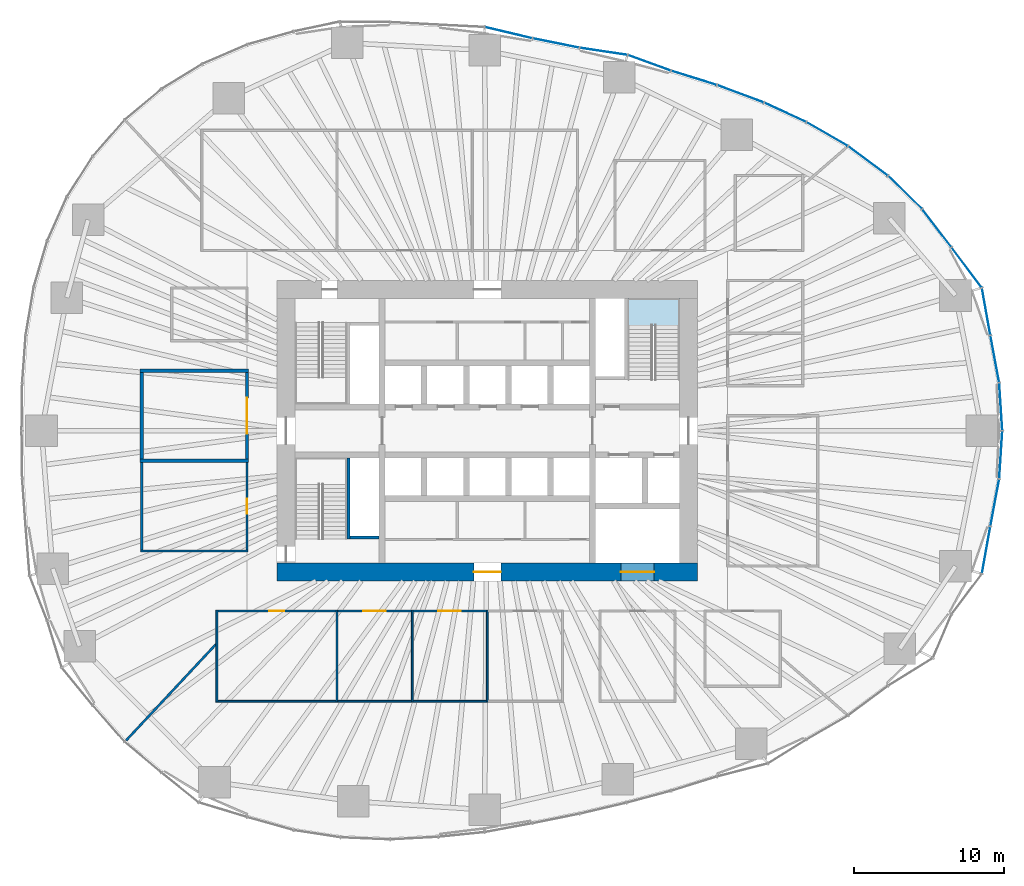
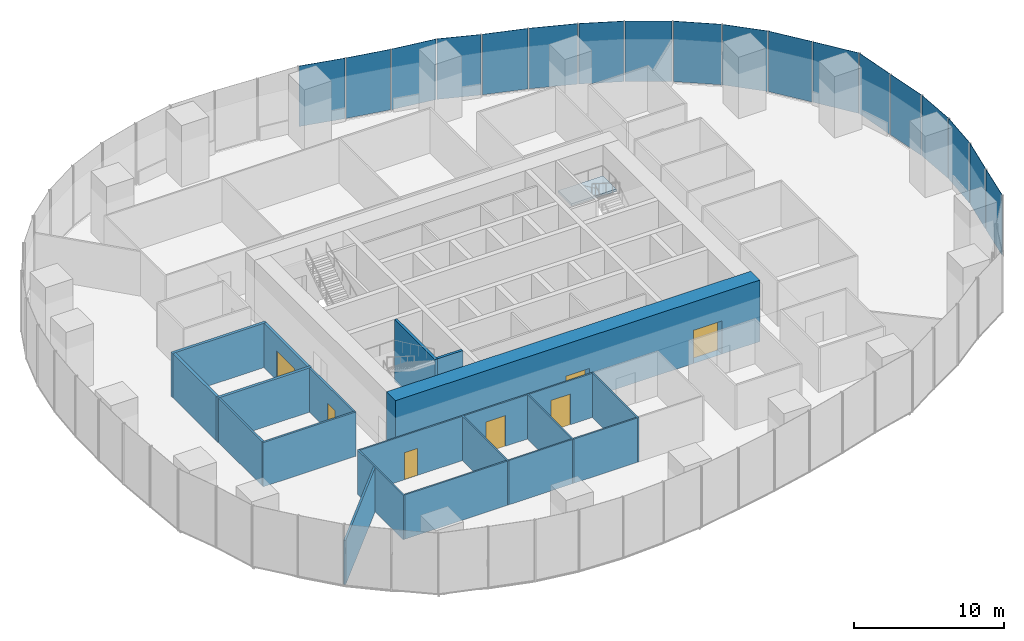
# One storey, part 9 of 20: 21 walls, 18 plates, 7 doors, 1 slab, 7 openings, 7 elements without a shape of their own.
"""IFC4 building model written with IfcOpenShell, lengths in metres."""

from ifc_helpers import new_model, si_unit, direction, frame, frame_2d, origin, origin_2d, place, context, subcontext, project, spatial, polyline, rectangle, outline, extrude, material, layer, layer_set, type_object, element, fill, aggregate, save


model = new_model("IFC4")

# Units and contexts
model_context = context("Model", 3, precision=1e-05, world=origin(), true_north=direction((0.0, 1.0)))
body_context = subcontext(model_context, "Body", "Model", "MODEL_VIEW")
ifc_project = project(units=[si_unit("LENGTHUNIT", "METRE"), si_unit("AREAUNIT", "SQUARE_METRE"), si_unit("VOLUMEUNIT", "CUBIC_METRE"), si_unit("PLANEANGLEUNIT", "RADIAN"), si_unit("MASSUNIT", "GRAM", prefix="KILO")], contexts=[model_context])

# Site, building, storey
site_placement = place(None, origin())
site = spatial("IfcSite", under=ifc_project, at=site_placement, CompositionType="ELEMENT")
building_placement = place(site_placement, origin())
building = spatial("IfcBuilding", under=site, at=building_placement, Name="Ghaith Harvest Tower", CompositionType="ELEMENT")
storey_placement = place(building_placement, frame((0.0, 0.0, 25.0)))
storey = spatial("IfcBuildingStorey", under=building, at=storey_placement, Name="L05", CompositionType="ELEMENT", Elevation=25.0)

# Curtain wall, plates
ifc_material_1 = material(Name="Black anodised aluminium and fritted glass", Category="aluminium")
curtain_wall_type = type_object("IfcCurtainWallType", Name="CW-F CURTAIN WALL", PredefinedType="NOTDEFINED", material=ifc_material_1)
curtain_wall_1_placement = place(storey_placement, origin())
curtain_wall_1 = element("IfcCurtainWall", 1, at=curtain_wall_1_placement, inside=storey, type_object=curtain_wall_type, Name="Curtain wall CW-F bay 01 L05", PredefinedType="NOTDEFINED")
ifc_material_2 = material(Name="Glass, high-transmission fritted double glazed unit", Category="glass")
ifc_layer_1 = layer(ifc_material_2, 0.028076171875)
ifc_layer_set_1 = layer_set([ifc_layer_1], Name="CW-F VISION PANEL")
plate_type = type_object("IfcPlateType", Name="CW-F VISION PANEL", PredefinedType="CURTAIN_PANEL", material=ifc_layer_set_1)
plate_1_placement = place(storey_placement, frame((34.181396484375, 1.602783203125, 0.080078125), z_axis=(0.0, 0.0, 1.0), x_axis=(-0.064445645786, 0.997921218704, 0.0)))
plate_1 = element("IfcPlate", 2, at=plate_1_placement, type_object=plate_type, Name="CW-F panel 1 bay 01 L05", PredefinedType="CURTAIN_PANEL", context=body_context, shape_type="SweptSolid", body=[
    extrude(rectangle(XDim=3.132080078125, YDim=0.028076171875, at=origin_2d()), origin(), (0.0, 0.0, 1.0), 4.919921875),
])
plate_2_placement = place(storey_placement, frame((33.78369140625, 4.78076171875, 0.080078125), z_axis=(0.0, 0.0, 1.0), x_axis=(-0.183569249502, 0.983006780565, 0.0)))
plate_2 = element("IfcPlate", 3, at=plate_2_placement, type_object=plate_type, Name="CW-F panel 2 bay 01 L05", PredefinedType="CURTAIN_PANEL", context=body_context, shape_type="SweptSolid", body=[
    extrude(rectangle(XDim=3.12548828125, YDim=0.028076171875, at=origin_2d()), origin(), (0.0, 0.0, 1.0), 4.919921875),
])
plate_3_placement = place(storey_placement, frame((33.20654296875, 7.93603515625, 0.080078125), z_axis=(0.0, 0.0, 1.0), x_axis=(-0.176319663586, 0.984332960046, 0.0)))
plate_3 = element("IfcPlate", 4, at=plate_3_placement, type_object=plate_type, Name="CW-F panel 3 bay 01 L05", PredefinedType="CURTAIN_PANEL", context=body_context, shape_type="SweptSolid", body=[
    extrude(rectangle(XDim=3.129638671875, YDim=0.028076171875, at=origin_2d()), origin(), (0.0, 0.0, 1.0), 4.919921875),
])
aggregate(curtain_wall_1, [plate_1, plate_2, plate_3])

curtain_wall_2_placement = place(storey_placement, origin())
curtain_wall_2 = element("IfcCurtainWall", 5, at=curtain_wall_2_placement, inside=storey, type_object=curtain_wall_type, Name="Curtain wall CW-F bay 02 L05", PredefinedType="NOTDEFINED")
plate_4_placement = place(storey_placement, frame((31.91015625, 10.865234375, 0.080078125), z_axis=(0.0, 0.0, 1.0), x_axis=(-0.600454091192, 0.799659230154, 0.0)))
plate_4 = element("IfcPlate", 6, at=plate_4_placement, type_object=plate_type, Name="CW-F panel 1 bay 02 L05", PredefinedType="CURTAIN_PANEL", context=body_context, shape_type="SweptSolid", body=[
    extrude(rectangle(XDim=3.295654296875, YDim=0.028076171875, at=origin_2d()), origin(), (0.0, 0.0, 1.0), 4.919921875),
])
plate_5_placement = place(storey_placement, frame((29.921875, 13.4892578125, 0.080078125), z_axis=(0.0, 0.0, 1.0), x_axis=(-0.607611877494, 0.794234100457, 0.0)))
plate_5 = element("IfcPlate", 7, at=plate_5_placement, type_object=plate_type, Name="CW-F panel 2 bay 02 L05", PredefinedType="CURTAIN_PANEL", context=body_context, shape_type="SweptSolid", body=[
    extrude(rectangle(XDim=3.128662109375, YDim=0.028076171875, at=origin_2d()), origin(), (0.0, 0.0, 1.0), 4.919921875),
])
plate_6_placement = place(storey_placement, frame((27.810546875, 15.869384765625, 0.080078125), z_axis=(0.0, 0.0, 1.0), x_axis=(-0.716691335472, 0.69739051446, 0.0)))
plate_6 = element("IfcPlate", 8, at=plate_6_placement, type_object=plate_type, Name="CW-F panel 3 bay 02 L05", PredefinedType="CURTAIN_PANEL", context=body_context, shape_type="SweptSolid", body=[
    extrude(rectangle(XDim=3.092041015625, YDim=0.028076171875, at=origin_2d()), origin(), (0.0, 0.0, 1.0), 4.919921875),
])
aggregate(curtain_wall_2, [plate_4, plate_5, plate_6])

curtain_wall_3_placement = place(storey_placement, origin())
curtain_wall_3 = element("IfcCurtainWall", 9, at=curtain_wall_3_placement, inside=storey, type_object=curtain_wall_type, Name="Curtain wall CW-F bay 03 L05", PredefinedType="NOTDEFINED")
plate_7_placement = place(storey_placement, frame((25.34619140625, 17.96142578125, 0.080078125), z_axis=(0.0, 0.0, 1.0), x_axis=(-0.802866788578, 0.596158468697, 0.0)))
plate_7 = element("IfcPlate", 10, at=plate_7_placement, type_object=plate_type, Name="CW-F panel 1 bay 03 L05", PredefinedType="CURTAIN_PANEL", context=body_context, shape_type="SweptSolid", body=[
    extrude(rectangle(XDim=3.2275390625, YDim=0.028076171875, at=origin_2d()), origin(), (0.0, 0.0, 1.0), 4.919921875),
])
plate_8_placement = place(storey_placement, frame((22.626953125, 19.750244140625, 0.080078125), z_axis=(0.0, 0.0, 1.0), x_axis=(-0.866159208358, 0.499768172033, 0.0)))
plate_8 = element("IfcPlate", 11, at=plate_8_placement, type_object=plate_type, Name="CW-F panel 2 bay 03 L05", PredefinedType="CURTAIN_PANEL", context=body_context, shape_type="SweptSolid", body=[
    extrude(rectangle(XDim=3.1328125, YDim=0.028076171875, at=origin_2d()), origin(), (0.0, 0.0, 1.0), 4.919921875),
])
plate_9_placement = place(storey_placement, frame((19.8291015625, 21.19970703125, 0.080078125), z_axis=(0.0, 0.0, 1.0), x_axis=(-0.908529586897, 0.417820523351, 0.0)))
plate_9 = element("IfcPlate", 12, at=plate_9_placement, type_object=plate_type, Name="CW-F panel 3 bay 03 L05", PredefinedType="CURTAIN_PANEL", context=body_context, shape_type="SweptSolid", body=[
    extrude(rectangle(XDim=3.01611328125, YDim=0.028076171875, at=origin_2d()), origin(), (0.0, 0.0, 1.0), 4.919921875),
])
aggregate(curtain_wall_3, [plate_7, plate_8, plate_9])

curtain_wall_4_placement = place(storey_placement, origin())
curtain_wall_4 = element("IfcCurtainWall", 13, at=curtain_wall_4_placement, inside=storey, type_object=curtain_wall_type, Name="Curtain wall CW-F bay 04 L05", PredefinedType="NOTDEFINED")
plate_10_placement = place(storey_placement, frame((16.85498046875, 22.431396484375, 0.080078125), z_axis=(0.0, 0.0, 1.0), x_axis=(-0.936926487964, 0.349526474178, 0.0)))
plate_10 = element("IfcPlate", 14, at=plate_10_placement, type_object=plate_type, Name="CW-F panel 1 bay 04 L05", PredefinedType="CURTAIN_PANEL", context=body_context, shape_type="SweptSolid", body=[
    extrude(rectangle(XDim=3.26611328125, YDim=0.028076171875, at=origin_2d()), origin(), (0.0, 0.0, 1.0), 4.919921875),
])
plate_11_placement = place(storey_placement, frame((13.760986328125, 23.490234375, 0.080078125), z_axis=(0.0, 0.0, 1.0), x_axis=(-0.954988265421, 0.296643578911, 0.0)))
plate_11 = element("IfcPlate", 15, at=plate_11_placement, type_object=plate_type, Name="CW-F panel 2 bay 04 L05", PredefinedType="CURTAIN_PANEL", context=body_context, shape_type="SweptSolid", body=[
    extrude(rectangle(XDim=3.1171875, YDim=0.028076171875, at=origin_2d()), origin(), (0.0, 0.0, 1.0), 4.919921875),
])
plate_12_placement = place(storey_placement, frame((10.793212890625, 24.490234375, 0.080078125), z_axis=(0.0, 0.0, 1.0), x_axis=(-0.939438435482, 0.342717705902, 0.0)))
plate_12 = element("IfcPlate", 16, at=plate_12_placement, type_object=plate_type, Name="CW-F panel 3 bay 04 L05", PredefinedType="CURTAIN_PANEL", context=body_context, shape_type="SweptSolid", body=[
    extrude(rectangle(XDim=2.98828125, YDim=0.028076171875, at=origin_2d()), origin(), (0.0, 0.0, 1.0), 4.919921875),
])
aggregate(curtain_wall_4, [plate_10, plate_11, plate_12])

curtain_wall_5_placement = place(storey_placement, origin())
curtain_wall_5 = element("IfcCurtainWall", 17, at=curtain_wall_5_placement, inside=storey, type_object=curtain_wall_type, Name="Curtain wall CW-F bay 05 L05", PredefinedType="NOTDEFINED")
plate_13_placement = place(storey_placement, frame((7.744384765625, 25.255615234375, 0.080078125), z_axis=(0.0, 0.0, 1.0), x_axis=(-0.989074249382, 0.147418211935, 0.0)))
plate_13 = element("IfcPlate", 18, at=plate_13_placement, type_object=plate_type, Name="CW-F panel 1 bay 05 L05", PredefinedType="CURTAIN_PANEL", context=body_context, shape_type="SweptSolid", body=[
    extrude(rectangle(XDim=3.17041015625, YDim=0.028076171875, at=origin_2d()), origin(), (0.0, 0.0, 1.0), 4.919921875),
])
plate_14_placement = place(storey_placement, frame((4.5732421875, 25.809326171875, 0.080078125), z_axis=(0.0, 0.0, 1.0), x_axis=(-0.980432348069, 0.196856320344, 0.0)))
plate_14 = element("IfcPlate", 19, at=plate_14_placement, type_object=plate_type, Name="CW-F panel 2 bay 05 L05", PredefinedType="CURTAIN_PANEL", context=body_context, shape_type="SweptSolid", body=[
    extrude(rectangle(XDim=3.1103515625, YDim=0.028076171875, at=origin_2d()), origin(), (0.0, 0.0, 1.0), 4.919921875),
])
plate_15_placement = place(storey_placement, frame((1.41259765625, 26.500244140625, 0.080078125), z_axis=(0.0, 0.0, 1.0), x_axis=(-0.97324595378, 0.229765779545, 0.0)))
plate_15 = element("IfcPlate", 20, at=plate_15_placement, type_object=plate_type, Name="CW-F panel 3 bay 05 L05", PredefinedType="CURTAIN_PANEL", context=body_context, shape_type="SweptSolid", body=[
    extrude(rectangle(XDim=3.200927734375, YDim=0.028076171875, at=origin_2d()), origin(), (0.0, 0.0, 1.0), 4.919921875),
])
aggregate(curtain_wall_5, [plate_13, plate_14, plate_15])

curtain_wall_6_placement = place(storey_placement, origin())
curtain_wall_6 = element("IfcCurtainWall", 21, at=curtain_wall_6_placement, inside=storey, type_object=curtain_wall_type, Name="Curtain wall CW-F bay 20 L05", PredefinedType="NOTDEFINED")
plate_16_placement = place(storey_placement, frame((33.20654296875, -7.93603515625, 0.080078125), z_axis=(0.0, 0.0, 1.0), x_axis=(0.176319663878, 0.984332959994, 0.0)))
plate_16 = element("IfcPlate", 22, at=plate_16_placement, type_object=plate_type, Name="CW-F panel 1 bay 20 L05", PredefinedType="CURTAIN_PANEL", context=body_context, shape_type="SweptSolid", body=[
    extrude(rectangle(XDim=3.129638671875, YDim=0.028076171875, at=origin_2d()), origin(), (0.0, 0.0, 1.0), 4.919921875),
])
plate_17_placement = place(storey_placement, frame((33.78369140625, -4.78076171875, 0.080078125), z_axis=(0.0, 0.0, 1.0), x_axis=(0.183569249777, 0.983006780514, 0.0)))
plate_17 = element("IfcPlate", 23, at=plate_17_placement, type_object=plate_type, Name="CW-F panel 2 bay 20 L05", PredefinedType="CURTAIN_PANEL", context=body_context, shape_type="SweptSolid", body=[
    extrude(rectangle(XDim=3.12548828125, YDim=0.028076171875, at=origin_2d()), origin(), (0.0, 0.0, 1.0), 4.919921875),
])
plate_18_placement = place(storey_placement, frame((34.181396484375, -1.602783203125, 0.080078125), z_axis=(0.0, 0.0, 1.0), x_axis=(0.064445645891, 0.997921218697, 0.0)))
plate_18 = element("IfcPlate", 24, at=plate_18_placement, type_object=plate_type, Name="CW-F panel 3 bay 20 L05", PredefinedType="CURTAIN_PANEL", context=body_context, shape_type="SweptSolid", body=[
    extrude(rectangle(XDim=3.132080078125, YDim=0.028076171875, at=origin_2d()), origin(), (0.0, 0.0, 1.0), 4.919921875),
])
aggregate(curtain_wall_6, [plate_16, plate_17, plate_18])

# Stair, slab
ifc_material_3 = material(Name="Concrete C40/50, precast", Category="concrete")
stair_type = type_object("IfcStairType", Name="CORE STAIR 28R", PredefinedType="HALF_TURN_STAIR", material=ifc_material_3)
stair_placement = place(storey_placement, origin())
stair = element("IfcStair", 25, at=stair_placement, inside=storey, type_object=stair_type, Name="Stair ST2 L05", PredefinedType="HALF_TURN_STAIR")
ifc_material_4 = material(Name="Concrete C40/50, precast", Category="concrete")
ifc_layer_2 = layer(ifc_material_4, 0.179931640625)
ifc_layer_set_2 = layer_set([ifc_layer_2], Name="STAIR LANDING 180")
slab_type = type_object("IfcSlabType", Name="STAIR LANDING 180", PredefinedType="LANDING", material=ifc_layer_set_2)
slab_placement = place(storey_placement, frame((0.0, 0.0, 2.320068359375)))
slab = element("IfcSlab", 26, at=slab_placement, type_object=slab_type, Name="ST2 landing 1", PredefinedType="LANDING", context=body_context, shape_type="SweptSolid", body=[
    extrude(outline(polyline([(12.800048828125, 7.02001953125), (12.800048828125, 8.800048828125), (9.35009765625, 8.800048828125), (9.35009765625, 7.02001953125), (12.800048828125, 7.02001953125)])), origin(), (0.0, 0.0, 1.0), 0.179931640625),
])
aggregate(stair, [slab])

# Walls
ifc_material_5 = material(Name="Concrete blockwork, 1-hour", Category="masonry")
ifc_layer_3 = layer(ifc_material_5, 0.215087890625)
ifc_layer_set_3 = layer_set([ifc_layer_3], Name="BLOCKWORK WALL 215")
wall_type_1 = type_object("IfcWallType", Name="BLOCKWORK WALL 215", PredefinedType="PARTITIONING", material=ifc_layer_set_3)
for number, where, z_axis, x_axis, name in (
    (27, (-15.892578125, -2.0, 0.0), (0.0, 0.0, 1.0), (-1.0, 0.0, 0.0), "Partition L05 row W6 cross wall 2"),
    (28, (-15.892578125, 4.0, 0.0), (0.0, 0.0, 1.0), (-1.0, 0.0, 0.0), "Partition L05 row W6 cross wall 3"),
):
    element("IfcWall", number, at=place(storey_placement, frame(where, z_axis=z_axis, x_axis=x_axis)), inside=storey, type_object=wall_type_1, Name=name, PredefinedType="PARTITIONING", context=body_context, shape_type="SweptSolid", body=[
        extrude(rectangle(XDim=7.21484375, YDim=0.215087890625, at=frame_2d((3.607421875, 0.0))), origin(), (0.0, 0.0, 1.0), 3.60009765625),
    ])

# Wall, opening, door
wall_1_placement = place(storey_placement, frame((-16.0, -1.892578125, 0.0), z_axis=(0.0, 0.0, 1.0), x_axis=(0.0, 1.0, 0.0)))
wall_1 = element("IfcWall", 29, at=wall_1_placement, inside=storey, type_object=wall_type_1, Name="Partition L05-13", PredefinedType="PARTITIONING", context=body_context, shape_type="SweptSolid", body=[
    extrude(rectangle(XDim=5.78515625, YDim=0.215087890625, at=frame_2d((2.892578125, 0.0))), origin(), (0.0, 0.0, 1.0), 3.60009765625),
])
opening_1_placement = place(wall_1_placement, frame((1.6923828125, 0.0, 0.0)))
opening_1 = element("IfcOpeningElement", 30, at=opening_1_placement, cuts=wall_1, Name="Opening 05-036", PredefinedType="OPENING", context=body_context, shape_type="SweptSolid", body=[
    extrude(rectangle(XDim=2.39990234375, YDim=2.39990234375, at=frame_2d((1.199951171875, 1.199951171875))), frame((0.0, 0.11767578125, 0.0), z_axis=(0.0, -1.0, 0.0), x_axis=(1.0, 0.0, 0.0)), (0.0, 0.0, 1.0), 0.235107421875),
])
ifc_material_6 = material(Name="Timber door", Category="wood")
door_type_1 = type_object("IfcDoorType", Name="D10 PLANT PAIR 2400x2400", OperationType="DOUBLE_DOOR_SINGLE_SWING", PredefinedType="DOOR", material=ifc_material_6)
door_1_placement = place(opening_1_placement, origin())
door_1 = element("IfcDoor", 31, at=door_1_placement, inside=storey, type_object=door_type_1, Name="Nutrient tank room door", OperationType="DOUBLE_DOOR_SINGLE_SWING", OverallHeight=2.39990234375, OverallWidth=2.39990234375, PredefinedType="DOOR", context=body_context, shape_type="SweptSolid", body=[
    extrude(rectangle(XDim=2.39990234375, YDim=2.39990234375, at=frame_2d((1.199951171875, 1.199951171875))), frame((0.0, 0.02490234375, 0.0), z_axis=(0.0, -1.0, 0.0), x_axis=(1.0, 0.0, 0.0)), (0.0, 0.0, 1.0), 0.050048828125),
])
fill(opening_1, door_1)

# Wall
wall_2_placement = place(storey_placement, frame((-23.0, -1.892578125, 0.0), z_axis=(0.0, 0.0, 1.0), x_axis=(0.0, 1.0, 0.0)))
element("IfcWall", 32, at=wall_2_placement, inside=storey, type_object=wall_type_1, Name="Partition L05-13", PredefinedType="PARTITIONING", context=body_context, shape_type="SweptSolid", body=[
    extrude(rectangle(XDim=5.78515625, YDim=0.215087890625, at=frame_2d((2.892578125, 0.0))), origin(), (0.0, 0.0, 1.0), 3.60009765625),
])

# Wall, openings, doors
ifc_material_7 = material(Name="Concrete C70/85", Category="concrete")
ifc_layer_4 = layer(ifc_material_7, 1.199951171875)
ifc_layer_set_4 = layer_set([ifc_layer_4], Name="CORE WALL CW1200")
wall_type_2 = type_object("IfcWallType", Name="CORE WALL CW1200", PredefinedType="SHEAR", material=ifc_layer_set_4)
wall_3_placement = place(storey_placement, frame((-14.0, -9.39990234375, 0.0), z_axis=(0.0, 0.0, 1.0), x_axis=(1.0, 0.0, 0.0)))
wall_3 = element("IfcWall", 33, at=wall_3_placement, inside=storey, type_object=wall_type_2, Name="Core wall S L05", PredefinedType="SHEAR", context=body_context, shape_type="SweptSolid", body=[
    extrude(rectangle(XDim=28.0, YDim=1.199951171875, at=frame_2d((14.0, 0.0))), origin(), (0.0, 0.0, 1.0), 5.0),
])
opening_2_placement = place(wall_3_placement, frame((13.10009765625, 0.0, 0.0)))
opening_2 = element("IfcOpeningElement", 34, at=opening_2_placement, cuts=wall_3, Name="Opening 05-016", PredefinedType="OPENING", context=body_context, shape_type="SweptSolid", body=[
    extrude(rectangle(XDim=1.800048828125, YDim=2.39990234375, at=frame_2d((0.89990234375, 1.199951171875))), frame((0.0, 0.60986328125, 0.0), z_axis=(0.0, -1.0, 0.0), x_axis=(1.0, 0.0, 0.0)), (0.0, 0.0, 1.0), 1.219970703125),
])
opening_3_placement = place(wall_3_placement, frame((22.89990234375, 0.0, 0.0)))
opening_3 = element("IfcOpeningElement", 35, at=opening_3_placement, cuts=wall_3, Name="Opening 05-023", PredefinedType="OPENING", context=body_context, shape_type="SweptSolid", body=[
    extrude(rectangle(XDim=2.199951171875, YDim=2.699951171875, at=frame_2d((1.10009765625, 1.35009765625))), frame((0.0, 0.60986328125, 0.0), z_axis=(0.0, -1.0, 0.0), x_axis=(1.0, 0.0, 0.0)), (0.0, 0.0, 1.0), 1.219970703125),
])
ifc_material_8 = material(Name="Steel fire door", Category="steel")
door_type_2 = type_object("IfcDoorType", Name="D4 FD90 PAIR 1800x2400", OperationType="DOUBLE_DOOR_SINGLE_SWING", PredefinedType="DOOR", material=ifc_material_8)
door_2_placement = place(opening_2_placement, origin())
door_2 = element("IfcDoor", 36, at=door_2_placement, inside=storey, type_object=door_type_2, Name="Core service corridor doors", OperationType="DOUBLE_DOOR_SINGLE_SWING", OverallHeight=2.39990234375, OverallWidth=1.800048828125, PredefinedType="DOOR", context=body_context, shape_type="SweptSolid", body=[
    extrude(rectangle(XDim=1.800048828125, YDim=2.39990234375, at=frame_2d((0.89990234375, 1.199951171875))), frame((0.0, 0.02490234375, 0.0), z_axis=(0.0, -1.0, 0.0), x_axis=(1.0, 0.0, 0.0)), (0.0, 0.0, 1.0), 0.050048828125),
])
fill(opening_2, door_2)
ifc_material_9 = material(Name="Steel fire door", Category="steel")
door_type_3 = type_object("IfcDoorType", Name="LD3 LANDING 2200x2700", OperationType="DOUBLE_DOOR_SLIDING", PredefinedType="DOOR", material=ifc_material_9)
door_3_placement = place(opening_3_placement, origin())
door_3 = element("IfcDoor", 37, at=door_3_placement, inside=storey, type_object=door_type_3, Name="Landing door, goods lift GL1", OperationType="DOUBLE_DOOR_SLIDING", OverallHeight=2.699951171875, OverallWidth=2.199951171875, PredefinedType="DOOR", context=body_context, shape_type="SweptSolid", body=[
    extrude(rectangle(XDim=2.199951171875, YDim=2.699951171875, at=frame_2d((1.10009765625, 1.35009765625))), frame((0.0, 0.02490234375, 0.0), z_axis=(0.0, -1.0, 0.0), x_axis=(1.0, 0.0, 0.0)), (0.0, 0.0, 1.0), 0.050048828125),
])
fill(opening_3, door_3)

# Walls
ifc_material_10 = material(Name="Insulated food-grade panel", Category="steel")
ifc_layer_5 = layer(ifc_material_10, 0.1201171875)
ifc_layer_set_5 = layer_set([ifc_layer_5], Name="INSULATED PANEL WALL 120")
wall_type_3 = type_object("IfcWallType", Name="INSULATED PANEL WALL 120", PredefinedType="PARTITIONING", material=ifc_layer_set_5)
for number, where, z_axis, x_axis, name in (
    (38, (-18.0, -11.93994140625, 0.0), (0.0, 0.0, 1.0), (0.0, -1.0, 0.0), "Partition L05 row S3 cross wall 1"),
    (39, (-10.0, -11.93994140625, 0.0), (0.0, 0.0, 1.0), (0.0, -1.0, 0.0), "Partition L05 row S3 cross wall 2"),
    (40, (-5.0, -11.93994140625, 0.0), (0.0, 0.0, 1.0), (0.0, -1.0, 0.0), "Partition L05 row S3 cross wall 3"),
    (41, (0.0, -11.93994140625, 0.0), (0.0, 0.0, 1.0), (0.0, -1.0, 0.0), "Partition L05 row S3 cross wall 4"),
):
    element("IfcWall", number, at=place(storey_placement, frame(where, z_axis=z_axis, x_axis=x_axis)), inside=storey, type_object=wall_type_3, Name=name, PredefinedType="PARTITIONING", context=body_context, shape_type="SweptSolid", body=[
        extrude(rectangle(XDim=6.1201171875, YDim=0.1201171875, at=frame_2d((3.06005859375, 0.0))), origin(), (0.0, 0.0, 1.0), 3.60009765625),
    ])

# Wall, opening, door
wall_4_placement = place(storey_placement, frame((-17.93994140625, -12.0, 0.0), z_axis=(0.0, 0.0, 1.0), x_axis=(1.0, 0.0, 0.0)))
wall_4 = element("IfcWall", 42, at=wall_4_placement, inside=storey, type_object=wall_type_3, Name="Partition L05-05", PredefinedType="PARTITIONING", context=body_context, shape_type="SweptSolid", body=[
    extrude(rectangle(XDim=7.8798828125, YDim=0.1201171875, at=frame_2d((3.93994140625, 0.0))), origin(), (0.0, 0.0, 1.0), 3.60009765625),
])
opening_4_placement = place(wall_4_placement, frame((3.43994140625, 0.0, 0.0)))
opening_4 = element("IfcOpeningElement", 43, at=opening_4_placement, cuts=wall_4, Name="Opening 05-028", PredefinedType="OPENING", context=body_context, shape_type="SweptSolid", body=[
    extrude(rectangle(XDim=1.0, YDim=2.199951171875, at=frame_2d((0.5, 1.10009765625))), frame((0.0, 0.070068359375, 0.0), z_axis=(0.0, -1.0, 0.0), x_axis=(1.0, 0.0, 0.0)), (0.0, 0.0, 1.0), 0.14013671875),
])
ifc_material_11 = material(Name="Timber door", Category="wood")
door_type_4 = type_object("IfcDoorType", Name="D1 SINGLE 1000x2200", OperationType="SINGLE_SWING_LEFT", PredefinedType="DOOR", material=ifc_material_11)
door_4_placement = place(opening_4_placement, origin())
door_4 = element("IfcDoor", 44, at=door_4_placement, inside=storey, type_object=door_type_4, Name="Seed library door", OperationType="SINGLE_SWING_LEFT", OverallHeight=2.199951171875, OverallWidth=1.0, PredefinedType="DOOR", context=body_context, shape_type="SweptSolid", body=[
    extrude(rectangle(XDim=1.0, YDim=2.199951171875, at=frame_2d((0.5, 1.10009765625))), frame((0.0, 0.02490234375, 0.0), z_axis=(0.0, -1.0, 0.0), x_axis=(1.0, 0.0, 0.0)), (0.0, 0.0, 1.0), 0.050048828125),
])
fill(opening_4, door_4)

# Wall
wall_5_placement = place(storey_placement, frame((-17.93994140625, -18.0, 0.0), z_axis=(0.0, 0.0, 1.0), x_axis=(1.0, 0.0, 0.0)))
element("IfcWall", 45, at=wall_5_placement, inside=storey, type_object=wall_type_3, Name="Partition L05-05", PredefinedType="PARTITIONING", context=body_context, shape_type="SweptSolid", body=[
    extrude(rectangle(XDim=7.8798828125, YDim=0.1201171875, at=frame_2d((3.93994140625, 0.0))), origin(), (0.0, 0.0, 1.0), 3.60009765625),
])

# Wall, opening, door
wall_6_placement = place(storey_placement, frame((-9.93994140625, -12.0, 0.0), z_axis=(0.0, 0.0, 1.0), x_axis=(1.0, 0.0, 0.0)))
wall_6 = element("IfcWall", 46, at=wall_6_placement, inside=storey, type_object=wall_type_3, Name="Partition L05-06", PredefinedType="PARTITIONING", context=body_context, shape_type="SweptSolid", body=[
    extrude(rectangle(XDim=4.8798828125, YDim=0.1201171875, at=frame_2d((2.43994140625, 0.0))), origin(), (0.0, 0.0, 1.0), 3.60009765625),
])
opening_5_placement = place(wall_6_placement, frame((1.68994140625, 0.0, 0.0)))
opening_5 = element("IfcOpeningElement", 47, at=opening_5_placement, cuts=wall_6, Name="Opening 05-029", PredefinedType="OPENING", context=body_context, shape_type="SweptSolid", body=[
    extrude(rectangle(XDim=1.5, YDim=2.5, at=frame_2d((0.75, 1.25))), frame((0.0, 0.070068359375, 0.0), z_axis=(0.0, -1.0, 0.0), x_axis=(1.0, 0.0, 0.0)), (0.0, 0.0, 1.0), 0.14013671875),
])
ifc_material_12 = material(Name="Insulated steel sliding door", Category="steel")
door_type_5 = type_object("IfcDoorType", Name="D13 COLD STORE SLIDING 1500x2500", OperationType="SLIDING_TO_LEFT", PredefinedType="DOOR", material=ifc_material_12)
door_5_placement = place(opening_5_placement, origin())
door_5 = element("IfcDoor", 48, at=door_5_placement, inside=storey, type_object=door_type_5, Name="Germination room door", OperationType="SLIDING_TO_LEFT", OverallHeight=2.5, OverallWidth=1.5, PredefinedType="DOOR", context=body_context, shape_type="SweptSolid", body=[
    extrude(rectangle(XDim=1.5, YDim=2.5, at=frame_2d((0.75, 1.25))), frame((0.0, 0.02490234375, 0.0), z_axis=(0.0, -1.0, 0.0), x_axis=(1.0, 0.0, 0.0)), (0.0, 0.0, 1.0), 0.050048828125),
])
fill(opening_5, door_5)

# Wall
wall_7_placement = place(storey_placement, frame((-9.93994140625, -18.0, 0.0), z_axis=(0.0, 0.0, 1.0), x_axis=(1.0, 0.0, 0.0)))
element("IfcWall", 49, at=wall_7_placement, inside=storey, type_object=wall_type_3, Name="Partition L05-06", PredefinedType="PARTITIONING", context=body_context, shape_type="SweptSolid", body=[
    extrude(rectangle(XDim=4.8798828125, YDim=0.1201171875, at=frame_2d((2.43994140625, 0.0))), origin(), (0.0, 0.0, 1.0), 3.60009765625),
])

# Wall, opening, door
wall_8_placement = place(storey_placement, frame((-4.93994140625, -12.0, 0.0), z_axis=(0.0, 0.0, 1.0), x_axis=(1.0, 0.0, 0.0)))
wall_8 = element("IfcWall", 50, at=wall_8_placement, inside=storey, type_object=wall_type_3, Name="Partition L05-07", PredefinedType="PARTITIONING", context=body_context, shape_type="SweptSolid", body=[
    extrude(rectangle(XDim=4.8798828125, YDim=0.1201171875, at=frame_2d((2.43994140625, 0.0))), origin(), (0.0, 0.0, 1.0), 3.60009765625),
])
opening_6_placement = place(wall_8_placement, frame((1.68994140625, 0.0, 0.0)))
opening_6 = element("IfcOpeningElement", 51, at=opening_6_placement, cuts=wall_8, Name="Opening 05-030", PredefinedType="OPENING", context=body_context, shape_type="SweptSolid", body=[
    extrude(rectangle(XDim=1.5, YDim=2.5, at=frame_2d((0.75, 1.25))), frame((0.0, 0.070068359375, 0.0), z_axis=(0.0, -1.0, 0.0), x_axis=(1.0, 0.0, 0.0)), (0.0, 0.0, 1.0), 0.14013671875),
])
door_6_placement = place(opening_6_placement, origin())
door_6 = element("IfcDoor", 52, at=door_6_placement, inside=storey, type_object=door_type_5, Name="Germination room door", OperationType="SLIDING_TO_LEFT", OverallHeight=2.5, OverallWidth=1.5, PredefinedType="DOOR", context=body_context, shape_type="SweptSolid", body=[
    extrude(rectangle(XDim=1.5, YDim=2.5, at=frame_2d((0.75, 1.25))), frame((0.0, 0.02490234375, 0.0), z_axis=(0.0, -1.0, 0.0), x_axis=(1.0, 0.0, 0.0)), (0.0, 0.0, 1.0), 0.050048828125),
])
fill(opening_6, door_6)

# Walls
wall_9_placement = place(storey_placement, frame((-4.93994140625, -18.0, 0.0), z_axis=(0.0, 0.0, 1.0), x_axis=(1.0, 0.0, 0.0)))
element("IfcWall", 53, at=wall_9_placement, inside=storey, type_object=wall_type_3, Name="Partition L05-07", PredefinedType="PARTITIONING", context=body_context, shape_type="SweptSolid", body=[
    extrude(rectangle(XDim=4.8798828125, YDim=0.1201171875, at=frame_2d((2.43994140625, 0.0))), origin(), (0.0, 0.0, 1.0), 3.60009765625),
])
ifc_material_13 = material(Name="Gypsum board on steel studs", Category="steel")
ifc_layer_6 = layer(ifc_material_13, 0.14990234375)
ifc_layer_set_6 = layer_set([ifc_layer_6], Name="PARTITION 150")
wall_type_4 = type_object("IfcWallType", Name="PARTITION 150", PredefinedType="PARTITIONING", material=ifc_layer_set_6)
wall_10_placement = place(storey_placement, frame((-15.925048828125, -8.0, 0.0), z_axis=(0.0, 0.0, 1.0), x_axis=(-1.0, 0.0, 0.0)))
element("IfcWall", 54, at=wall_10_placement, inside=storey, type_object=wall_type_4, Name="Partition L05 row W6 cross wall 1", PredefinedType="PARTITIONING", context=body_context, shape_type="SweptSolid", body=[
    extrude(rectangle(XDim=7.14990234375, YDim=0.14990234375, at=frame_2d((3.574951171875, 0.0))), origin(), (0.0, 0.0, 1.0), 3.60009765625),
])

# Wall, opening, door
wall_11_placement = place(storey_placement, frame((-16.0, -7.925048828125, 0.0), z_axis=(0.0, 0.0, 1.0), x_axis=(0.0, 1.0, 0.0)))
wall_11 = element("IfcWall", 55, at=wall_11_placement, inside=storey, type_object=wall_type_4, Name="Partition L05-12", PredefinedType="PARTITIONING", context=body_context, shape_type="SweptSolid", body=[
    extrude(rectangle(XDim=5.817626953125, YDim=0.14990234375, at=frame_2d((2.90869140625, 0.0))), origin(), (0.0, 0.0, 1.0), 3.60009765625),
])
opening_7_placement = place(wall_11_placement, frame((2.40869140625, 0.0, 0.0)))
opening_7 = element("IfcOpeningElement", 56, at=opening_7_placement, cuts=wall_11, Name="Opening 05-035", PredefinedType="OPENING", context=body_context, shape_type="SweptSolid", body=[
    extrude(rectangle(XDim=1.0, YDim=2.199951171875, at=frame_2d((0.5, 1.10009765625))), frame((0.0, 0.0849609375, 0.0), z_axis=(0.0, -1.0, 0.0), x_axis=(1.0, 0.0, 0.0)), (0.0, 0.0, 1.0), 0.169921875),
])
door_7_placement = place(opening_7_placement, origin())
door_7 = element("IfcDoor", 57, at=door_7_placement, inside=storey, type_object=door_type_4, Name="Seed treatment room door", OperationType="SINGLE_SWING_LEFT", OverallHeight=2.199951171875, OverallWidth=1.0, PredefinedType="DOOR", context=body_context, shape_type="SweptSolid", body=[
    extrude(rectangle(XDim=1.0, YDim=2.199951171875, at=frame_2d((0.5, 1.10009765625))), frame((0.0, 0.02490234375, 0.0), z_axis=(0.0, -1.0, 0.0), x_axis=(1.0, 0.0, 0.0)), (0.0, 0.0, 1.0), 0.050048828125),
])
fill(opening_7, door_7)

# Walls
wall_12_placement = place(storey_placement, frame((-23.0, -7.925048828125, 0.0), z_axis=(0.0, 0.0, 1.0), x_axis=(0.0, 1.0, 0.0)))
element("IfcWall", 58, at=wall_12_placement, inside=storey, type_object=wall_type_4, Name="Partition L05-12", PredefinedType="PARTITIONING", context=body_context, shape_type="SweptSolid", body=[
    extrude(rectangle(XDim=5.817626953125, YDim=0.14990234375, at=frame_2d((2.90869140625, 0.0))), origin(), (0.0, 0.0, 1.0), 3.60009765625),
])
wall_13_placement = place(storey_placement, frame((-18.02001953125, -14.1630859375, 0.0), z_axis=(0.0, 0.0, 1.0), x_axis=(-0.682521563847, -0.730865456075, 0.0)))
element("IfcWall", 59, at=wall_13_placement, inside=storey, type_object=wall_type_4, Name="Partition L05 zone division", PredefinedType="PARTITIONING", context=body_context, shape_type="SweptSolid", body=[
    extrude(rectangle(XDim=8.8125, YDim=0.14990234375, at=frame_2d((4.40625, 0.0))), origin(), (0.0, 0.0, 1.0), 3.60009765625),
])
ifc_material_14 = material(Name="Concrete C40/50", Category="concrete")
ifc_layer_7 = layer(ifc_material_14, 0.199951171875)
ifc_layer_set_7 = layer_set([ifc_layer_7], Name="STAIR SPINE WALL RC200")
wall_type_5 = type_object("IfcWallType", Name="STAIR SPINE WALL RC200", PredefinedType="SOLIDWALL", material=ifc_layer_set_7)
wall_14_placement = place(storey_placement, frame((-9.25, -7.199951171875, 0.0), z_axis=(0.0, 0.0, 1.0), x_axis=(0.0, 1.0, 0.0)))
element("IfcWall", 60, at=wall_14_placement, inside=storey, type_object=wall_type_5, Name="Stair ST3 spine wall L05", PredefinedType="SOLIDWALL", context=body_context, shape_type="SweptSolid", body=[
    extrude(rectangle(XDim=5.39990234375, YDim=0.199951171875, at=frame_2d((2.699951171875, 0.0))), origin(), (0.0, 0.0, 1.0), 5.0),
])
wall_15_placement = place(storey_placement, frame((-9.14990234375, -7.10009765625, 0.0), z_axis=(0.0, 0.0, 1.0), x_axis=(1.0, 0.0, 0.0)))
element("IfcWall", 61, at=wall_15_placement, inside=storey, type_object=wall_type_5, Name="Stair ST3 spine wall return L05", PredefinedType="SOLIDWALL", context=body_context, shape_type="SweptSolid", body=[
    extrude(rectangle(XDim=1.949951171875, YDim=0.199951171875, at=frame_2d((0.97509765625, 0.0))), origin(), (0.0, 0.0, 1.0), 5.0),
])

save(model, "model.ifc")
